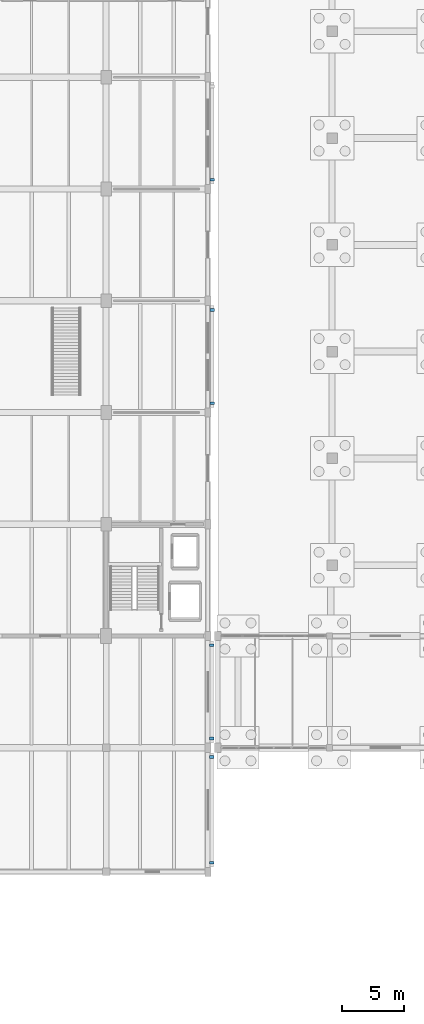
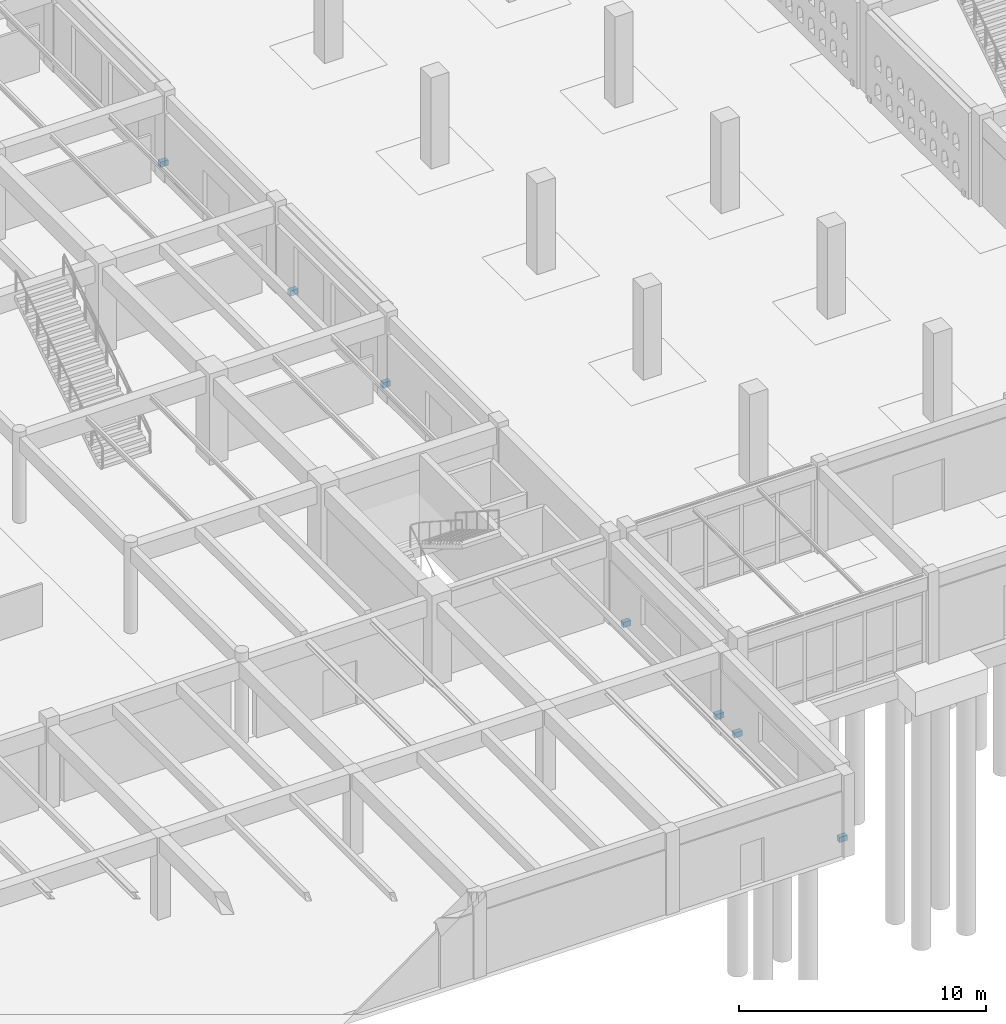
# One storey, part 174 of 186: 7 discrete accessories.
"""IFC4 building model written with IfcOpenShell, lengths in metres."""

from ifc_helpers import new_model, si_unit, direction, frame, origin, origin_2d, place, context, subcontext, project, spatial, rectangle, extrude, material, type_object, element, save


model = new_model("IFC4")

# Units and contexts
model_context = context("Model", 3, precision=1e-05, world=origin(), true_north=direction((0.0, 1.0)))
body_context = subcontext(model_context, "Body", "Model", "MODEL_VIEW")
ifc_project = project(units=[si_unit("LENGTHUNIT", "METRE"), si_unit("AREAUNIT", "SQUARE_METRE"), si_unit("VOLUMEUNIT", "CUBIC_METRE"), si_unit("PLANEANGLEUNIT", "RADIAN"), si_unit("MASSUNIT", "GRAM", prefix="KILO")], contexts=[model_context])

# Site, building, storey
site_placement = place(None, origin())
site = spatial("IfcSite", under=ifc_project, at=site_placement, CompositionType="ELEMENT")
building_placement = place(site_placement, origin())
building = spatial("IfcBuilding", under=site, at=building_placement, Name="Ornek Quay Market", CompositionType="ELEMENT")
storey_placement = place(building_placement, origin())
storey = spatial("IfcBuildingStorey", under=building, at=storey_placement, Name="L00", CompositionType="ELEMENT", Elevation=0.0)

# Discrete accessories
ifc_material = material(Name="Stainless steel 316", Category="steel")
discrete_accessory_type = type_object("IfcDiscreteAccessoryType", Name="ACC-BRK-SCREEN-250", PredefinedType="BRACKET", material=ifc_material)
for number, where, z_axis, x_axis, name in (
    (1, (125.52001953125, 10.75, 0.0), (0.0, 0.0, 1.0), (0.0, 1.0, 0.0), "Masonry screen bracket BRK-065"),
    (2, (125.52001953125, 19.25, 0.0), (0.0, 0.0, 1.0), (0.0, 1.0, 0.0), "Masonry screen bracket BRK-066"),
    (3, (125.52001953125, 20.75, 0.0), (0.0, 0.0, 1.0), (0.0, 1.0, 0.0), "Masonry screen bracket BRK-067"),
    (4, (125.52001953125, 28.25, 0.0), (0.0, 0.0, 1.0), (0.0, 1.0, 0.0), "Masonry screen bracket BRK-068"),
    (5, (125.5400390625, 47.75, 0.0), (0.0, 0.0, 1.0), (0.0, 1.0, 0.0), "Masonry screen bracket BRK-077"),
    (6, (125.5400390625, 55.25, 0.0), (0.0, 0.0, 1.0), (0.0, 1.0, 0.0), "Masonry screen bracket BRK-078"),
    (7, (125.5400390625, 65.75, 0.0), (0.0, 0.0, 1.0), (0.0, 1.0, 0.0), "Masonry screen bracket BRK-079"),
):
    element("IfcDiscreteAccessory", number, at=place(storey_placement, frame(where, z_axis=z_axis, x_axis=x_axis)), inside=storey, type_object=discrete_accessory_type, Name=name, PredefinedType="BRACKET", context=body_context, shape_type="SweptSolid", body=[
        extrude(rectangle(XDim=0.219970703125, YDim=0.360107421875, at=origin_2d()), origin(), (0.0, 0.0, 1.0), 0.260009765625),
    ])

save(model, "model.ifc")
